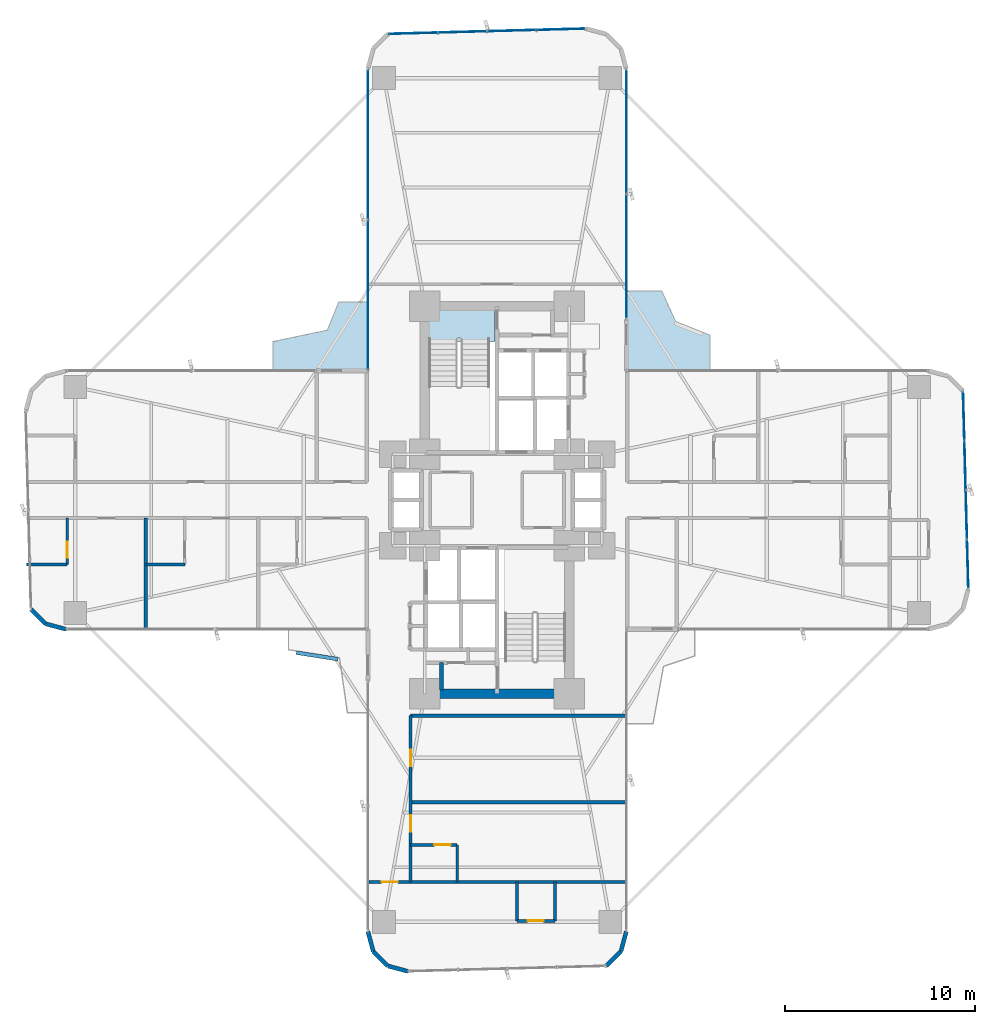
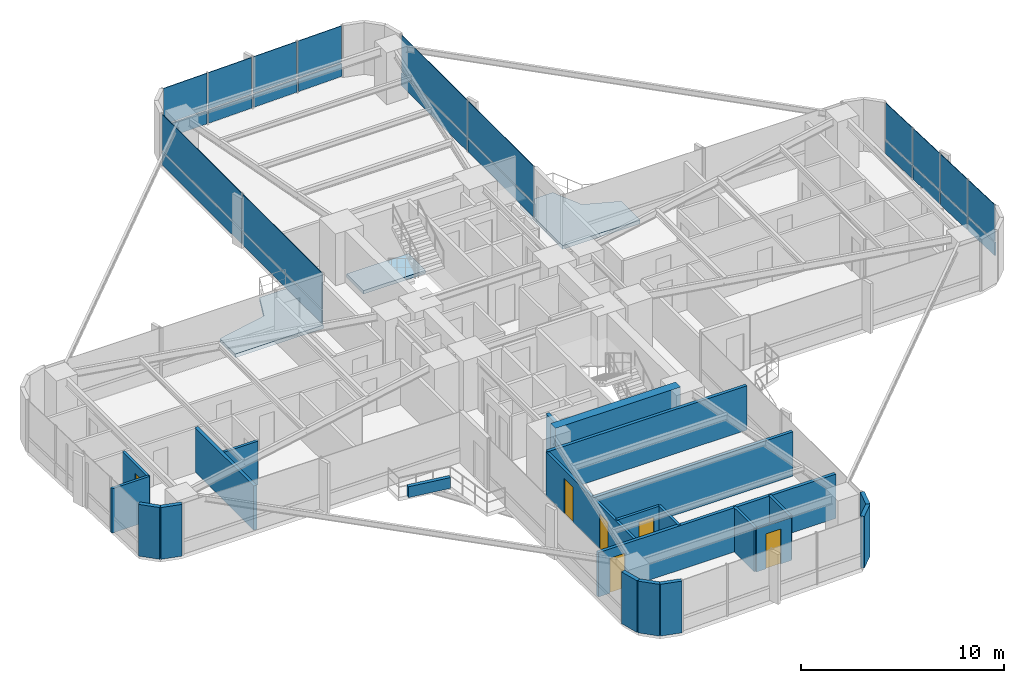
# One storey, part 21 of 25: 24 plates, 23 walls, 6 doors, 3 slabs, 6 openings, 4 elements without a shape of their own.
"""IFC4 building model written with IfcOpenShell, lengths in metres."""

from ifc_helpers import new_model, si_unit, direction, frame, frame_2d, origin, origin_2d, place, context, subcontext, project, spatial, polyline, rectangle, outline, extrude, source, transform, mapped, material, layer, layer_set, type_object, element, fill, aggregate, save


model = new_model("IFC4")

# Units and contexts
model_context = context("Model", 3, precision=1e-05, world=origin(), true_north=direction((0.0, 1.0)))
body_context = subcontext(model_context, "Body", "Model", "MODEL_VIEW")
ifc_project = project(units=[si_unit("LENGTHUNIT", "METRE"), si_unit("AREAUNIT", "SQUARE_METRE"), si_unit("VOLUMEUNIT", "CUBIC_METRE"), si_unit("PLANEANGLEUNIT", "RADIAN"), si_unit("MASSUNIT", "GRAM", prefix="KILO")], contexts=[model_context])

# Site, building, storey
site_placement = place(None, origin())
site = spatial("IfcSite", under=ifc_project, at=site_placement, CompositionType="ELEMENT")
building_placement = place(site_placement, origin())
building = spatial("IfcBuilding", under=site, at=building_placement, Name="Sahyath Konkavel Grand Hotel", CompositionType="ELEMENT")
storey_placement = place(building_placement, frame((0.0, 0.0, 57.75)))
storey = spatial("IfcBuildingStorey", under=building, at=storey_placement, Name="L15", CompositionType="ELEMENT", Elevation=57.75)

# Slabs
ifc_material_1 = material(Name="Concrete C40/50", Category="concrete")
ifc_layer_1 = layer(ifc_material_1, 0.219970703125)
ifc_layer_set_1 = layer_set([ifc_layer_1], Name="Concrete C40/50")
slab_type_1 = type_object("IfcSlabType", Name="SLB-BALCONY-220", PredefinedType="FLOOR", material=ifc_layer_set_1)
slab_1_placement = place(storey_placement, frame((0.0, 0.0, -0.219970703125)))
element("IfcSlab", 1, at=slab_1_placement, inside=storey, type_object=slab_type_1, Name="L15 Winter-Garden Balcony NE", PredefinedType="FLOOR", context=body_context, shape_type="SweptSolid", body=[
    extrude(outline(polyline([(6.800048828125, 6.800048828125), (11.2099609375, 6.800048828125), (11.2099609375, 8.6669921875), (9.39306640625, 9.39306640625), (8.6669921875, 10.989990234375), (6.800048828125, 10.989990234375), (6.800048828125, 6.800048828125)])), origin(), (0.0, 0.0, 1.0), 0.219970703125),
])
slab_2_placement = place(storey_placement, frame((0.0, 0.0, -0.219970703125)))
element("IfcSlab", 2, at=slab_2_placement, inside=storey, type_object=slab_type_1, Name="L15 Winter-Garden Balcony NW", PredefinedType="FLOOR", context=body_context, shape_type="SweptSolid", body=[
    extrude(outline(polyline([(-6.800048828125, 6.800048828125), (-6.800048828125, 10.408935546875), (-8.337890625, 10.408935546875), (-8.93603515625, 8.93603515625), (-11.791015625, 8.337890625), (-11.791015625, 6.800048828125), (-6.800048828125, 6.800048828125)])), origin(), (0.0, 0.0, 1.0), 0.219970703125),
])
ifc_layer_2 = layer(ifc_material_1, 0.199951171875)
ifc_layer_set_2 = layer_set([ifc_layer_2], Name="Concrete C40/50")
slab_type_2 = type_object("IfcSlabType", Name="SLB-STAIR-LND", PredefinedType="LANDING", material=ifc_layer_set_2)
slab_3_placement = place(storey_placement, frame((0.0, 0.0, -0.199951171875)))
element("IfcSlab", 3, at=slab_3_placement, inside=storey, type_object=slab_type_2, Name="L15 Stair ST-1 Floor Landing Slab", PredefinedType="LANDING", context=body_context, shape_type="SweptSolid", body=[
    extrude(outline(polyline([(-3.6201171875, 8.35009765625), (-0.10009765625, 8.35009765625), (-0.10009765625, 10.02001953125), (-3.6201171875, 10.02001953125), (-3.6201171875, 8.35009765625)])), origin(), (0.0, 0.0, 1.0), 0.199951171875),
])

# Curtain wall, plates
ifc_material_2 = material(Name="Anodised Bronze Aluminium & Low-E Glazing", Category="aluminium")
curtain_wall_type = type_object("IfcCurtainWallType", Name="CW-ZONE1", PredefinedType="NOTDEFINED", material=ifc_material_2)
curtain_wall_1_placement = place(storey_placement, origin())
curtain_wall_1 = element("IfcCurtainWall", 4, at=curtain_wall_1_placement, inside=storey, type_object=curtain_wall_type, Name="L15 Unitised Curtain Wall F15", PredefinedType="NOTDEFINED")
ifc_material_3 = material(Name="Warm Buff Sandstone Cladding", Category="masonry")
ifc_layer_3 = layer(ifc_material_3, 0.074951171875)
ifc_layer_set_3 = layer_set([ifc_layer_3], Name="Warm Buff Sandstone Cladding")
plate_type_1 = type_object("IfcPlateType", Name="PNL-SPANDREL-STONE", PredefinedType="SHEET", material=ifc_layer_set_3)
shared_shape_1 = source(origin(), body_context, "Body", "SweptSolid", [
    extrude(rectangle(XDim=7.830078125, YDim=0.074951171875, at=origin_2d()), origin(), (0.0, 0.0, 1.0), 0.77001953125),
])
plate_1_placement = place(storey_placement, frame((-6.800048828125, 18.705078125, 0.0400390625), z_axis=(0.0, 0.0, 1.0), x_axis=(0.0, -1.0, 0.0)))
plate_1 = element("IfcPlate", 5, at=plate_1_placement, type_object=plate_type_1, Name="L15 Sandstone Relief Spandrel Panel F15-0", PredefinedType="SHEET", context=body_context, shape_type="MappedRepresentation", body=[
    mapped(shared_shape_1, transform((0.0, 0.0, 0.0), scale=1.0)),
])
plate_2_placement = place(storey_placement, frame((-6.800048828125, 10.794921875, 0.0400390625), z_axis=(0.0, 0.0, 1.0), x_axis=(0.0, -1.0, 0.0)))
plate_2 = element("IfcPlate", 6, at=plate_2_placement, type_object=plate_type_1, Name="L15 Sandstone Relief Spandrel Panel F15-1", PredefinedType="SHEET", context=body_context, shape_type="MappedRepresentation", body=[
    mapped(shared_shape_1, transform((0.0, 0.0, 0.0), scale=1.0)),
])
ifc_material_4 = material(Name="Low-E Solar Control Double Glazing", Category="glass")
ifc_layer_4 = layer(ifc_material_4, 0.035888671875)
ifc_layer_set_4 = layer_set([ifc_layer_4], Name="Low-E Solar Control Double Glazing")
plate_type_2 = type_object("IfcPlateType", Name="PNL-VISION-LOWE", PredefinedType="CURTAIN_PANEL", material=ifc_layer_set_4)
shared_shape_2 = source(origin(), body_context, "Body", "SweptSolid", [
    extrude(rectangle(XDim=7.830078125, YDim=0.035888671875, at=origin_2d()), origin(), (0.0, 0.0, 1.0), 2.179931640625),
])
plate_3_placement = place(storey_placement, frame((-6.800048828125, 18.705078125, 0.89013671875), z_axis=(0.0, 0.0, 1.0), x_axis=(0.0, -1.0, 0.0)))
plate_3 = element("IfcPlate", 7, at=plate_3_placement, type_object=plate_type_2, Name="L15 Low-E Vision Glazing Panel F15-0", PredefinedType="CURTAIN_PANEL", context=body_context, shape_type="MappedRepresentation", body=[
    mapped(shared_shape_2, transform((0.0, 0.0, 0.0), scale=1.0)),
])
plate_4_placement = place(storey_placement, frame((-6.800048828125, 10.794921875, 0.89013671875), z_axis=(0.0, 0.0, 1.0), x_axis=(0.0, -1.0, 0.0)))
plate_4 = element("IfcPlate", 8, at=plate_4_placement, type_object=plate_type_2, Name="L15 Low-E Vision Glazing Panel F15-1", PredefinedType="CURTAIN_PANEL", context=body_context, shape_type="MappedRepresentation", body=[
    mapped(shared_shape_2, transform((0.0, 0.0, 0.0), scale=1.0)),
])
aggregate(curtain_wall_1, [plate_1, plate_3, plate_2, plate_4])

curtain_wall_2_placement = place(storey_placement, origin())
curtain_wall_2 = element("IfcCurtainWall", 9, at=curtain_wall_2_placement, inside=storey, type_object=curtain_wall_type, Name="L15 Unitised Curtain Wall F4", PredefinedType="NOTDEFINED")
shared_shape_3 = source(origin(), body_context, "Body", "SweptSolid", [
    extrude(rectangle(XDim=2.513427734375, YDim=0.074951171875, at=origin_2d()), origin(), (0.0, 0.0, 1.0), 0.77001953125),
])
plate_5_placement = place(storey_placement, frame((24.763916015625, -3.36376953125, 0.0400390625), z_axis=(0.0, 0.0, 1.0), x_axis=(-0.026909728301, 0.999637867691, 0.0)))
plate_5 = element("IfcPlate", 10, at=plate_5_placement, type_object=plate_type_1, Name="L15 Sandstone Relief Spandrel Panel F4-0", PredefinedType="SHEET", context=body_context, shape_type="MappedRepresentation", body=[
    mapped(shared_shape_3, transform((0.0, 0.0, 0.0), scale=1.0)),
])
plate_6_placement = place(storey_placement, frame((24.694091796875, -0.771240234375, 0.0400390625), z_axis=(0.0, 0.0, 1.0), x_axis=(-0.026909728301, 0.999637867691, 0.0)))
plate_6 = element("IfcPlate", 11, at=plate_6_placement, type_object=plate_type_1, Name="L15 Sandstone Relief Spandrel Panel F4-1", PredefinedType="SHEET", context=body_context, shape_type="MappedRepresentation", body=[
    mapped(shared_shape_3, transform((0.0, 0.0, 0.0), scale=1.0)),
])
plate_7_placement = place(storey_placement, frame((24.62451171875, 1.8212890625, 0.0400390625), z_axis=(0.0, 0.0, 1.0), x_axis=(-0.026909728301, 0.999637867691, 0.0)))
plate_7 = element("IfcPlate", 12, at=plate_7_placement, type_object=plate_type_1, Name="L15 Sandstone Relief Spandrel Panel F4-2", PredefinedType="SHEET", context=body_context, shape_type="MappedRepresentation", body=[
    mapped(shared_shape_3, transform((0.0, 0.0, 0.0), scale=1.0)),
])
plate_8_placement = place(storey_placement, frame((24.5546875, 4.413818359375, 0.0400390625), z_axis=(0.0, 0.0, 1.0), x_axis=(-0.026909728301, 0.999637867691, 0.0)))
plate_8 = element("IfcPlate", 13, at=plate_8_placement, type_object=plate_type_1, Name="L15 Sandstone Relief Spandrel Panel F4-3", PredefinedType="SHEET", context=body_context, shape_type="MappedRepresentation", body=[
    mapped(shared_shape_3, transform((0.0, 0.0, 0.0), scale=1.0)),
])

curtain_wall_3_placement = place(storey_placement, origin())
curtain_wall_3 = element("IfcCurtainWall", 14, at=curtain_wall_3_placement, inside=storey, type_object=curtain_wall_type, Name="L15 Unitised Curtain Wall F12", PredefinedType="NOTDEFINED")
plate_9_placement = place(storey_placement, frame((3.36376953125, 24.763916015625, 0.0400390625), z_axis=(0.0, 0.0, 1.0), x_axis=(-0.999637867691, -0.026909728301, 0.0)))
plate_9 = element("IfcPlate", 15, at=plate_9_placement, type_object=plate_type_1, Name="L15 Sandstone Relief Spandrel Panel F12-0", PredefinedType="SHEET", context=body_context, shape_type="MappedRepresentation", body=[
    mapped(shared_shape_3, transform((0.0, 0.0, 0.0), scale=1.0)),
])
plate_10_placement = place(storey_placement, frame((0.771240234375, 24.694091796875, 0.0400390625), z_axis=(0.0, 0.0, 1.0), x_axis=(-0.999637867691, -0.026909728301, 0.0)))
plate_10 = element("IfcPlate", 16, at=plate_10_placement, type_object=plate_type_1, Name="L15 Sandstone Relief Spandrel Panel F12-1", PredefinedType="SHEET", context=body_context, shape_type="MappedRepresentation", body=[
    mapped(shared_shape_3, transform((0.0, 0.0, 0.0), scale=1.0)),
])
plate_11_placement = place(storey_placement, frame((-1.8212890625, 24.62451171875, 0.0400390625), z_axis=(0.0, 0.0, 1.0), x_axis=(-0.999637867691, -0.026909728301, 0.0)))
plate_11 = element("IfcPlate", 17, at=plate_11_placement, type_object=plate_type_1, Name="L15 Sandstone Relief Spandrel Panel F12-2", PredefinedType="SHEET", context=body_context, shape_type="MappedRepresentation", body=[
    mapped(shared_shape_3, transform((0.0, 0.0, 0.0), scale=1.0)),
])
plate_12_placement = place(storey_placement, frame((-4.413818359375, 24.5546875, 0.0400390625), z_axis=(0.0, 0.0, 1.0), x_axis=(-0.999637867691, -0.026909728301, 0.0)))
plate_12 = element("IfcPlate", 18, at=plate_12_placement, type_object=plate_type_1, Name="L15 Sandstone Relief Spandrel Panel F12-3", PredefinedType="SHEET", context=body_context, shape_type="MappedRepresentation", body=[
    mapped(shared_shape_3, transform((0.0, 0.0, 0.0), scale=1.0)),
])

# Plate
shared_shape_4 = source(origin(), body_context, "Body", "SweptSolid", [
    extrude(rectangle(XDim=2.513427734375, YDim=0.035888671875, at=origin_2d()), origin(), (0.0, 0.0, 1.0), 2.179931640625),
])
plate_13_placement = place(storey_placement, frame((24.763916015625, -3.36376953125, 0.89013671875), z_axis=(0.0, 0.0, 1.0), x_axis=(-0.026909728301, 0.999637867691, 0.0)))
plate_13 = element("IfcPlate", 19, at=plate_13_placement, type_object=plate_type_2, Name="L15 Low-E Vision Glazing Panel F4-0", PredefinedType="CURTAIN_PANEL", context=body_context, shape_type="MappedRepresentation", body=[
    mapped(shared_shape_4, transform((0.0, 0.0, 0.0), scale=1.0)),
])

plate_14_placement = place(storey_placement, frame((24.694091796875, -0.771240234375, 0.89013671875), z_axis=(0.0, 0.0, 1.0), x_axis=(-0.026909728301, 0.999637867691, 0.0)))
plate_14 = element("IfcPlate", 20, at=plate_14_placement, type_object=plate_type_2, Name="L15 Low-E Vision Glazing Panel F4-1", PredefinedType="CURTAIN_PANEL", context=body_context, shape_type="MappedRepresentation", body=[
    mapped(shared_shape_4, transform((0.0, 0.0, 0.0), scale=1.0)),
])

plate_15_placement = place(storey_placement, frame((24.62451171875, 1.8212890625, 0.89013671875), z_axis=(0.0, 0.0, 1.0), x_axis=(-0.026909728301, 0.999637867691, 0.0)))
plate_15 = element("IfcPlate", 21, at=plate_15_placement, type_object=plate_type_2, Name="L15 Low-E Vision Glazing Panel F4-2", PredefinedType="CURTAIN_PANEL", context=body_context, shape_type="MappedRepresentation", body=[
    mapped(shared_shape_4, transform((0.0, 0.0, 0.0), scale=1.0)),
])

plate_16_placement = place(storey_placement, frame((24.5546875, 4.413818359375, 0.89013671875), z_axis=(0.0, 0.0, 1.0), x_axis=(-0.026909728301, 0.999637867691, 0.0)))
plate_16 = element("IfcPlate", 22, at=plate_16_placement, type_object=plate_type_2, Name="L15 Low-E Vision Glazing Panel F4-3", PredefinedType="CURTAIN_PANEL", context=body_context, shape_type="MappedRepresentation", body=[
    mapped(shared_shape_4, transform((0.0, 0.0, 0.0), scale=1.0)),
])

aggregate(curtain_wall_2, [plate_5, plate_13, plate_6, plate_14, plate_7, plate_15, plate_8, plate_16])

plate_17_placement = place(storey_placement, frame((3.36376953125, 24.763916015625, 0.89013671875), z_axis=(0.0, 0.0, 1.0), x_axis=(-0.999637867691, -0.026909728301, 0.0)))
plate_17 = element("IfcPlate", 23, at=plate_17_placement, type_object=plate_type_2, Name="L15 Low-E Vision Glazing Panel F12-0", PredefinedType="CURTAIN_PANEL", context=body_context, shape_type="MappedRepresentation", body=[
    mapped(shared_shape_4, transform((0.0, 0.0, 0.0), scale=1.0)),
])

plate_18_placement = place(storey_placement, frame((0.771240234375, 24.694091796875, 0.89013671875), z_axis=(0.0, 0.0, 1.0), x_axis=(-0.999637867691, -0.026909728301, 0.0)))
plate_18 = element("IfcPlate", 24, at=plate_18_placement, type_object=plate_type_2, Name="L15 Low-E Vision Glazing Panel F12-1", PredefinedType="CURTAIN_PANEL", context=body_context, shape_type="MappedRepresentation", body=[
    mapped(shared_shape_4, transform((0.0, 0.0, 0.0), scale=1.0)),
])

plate_19_placement = place(storey_placement, frame((-1.8212890625, 24.62451171875, 0.89013671875), z_axis=(0.0, 0.0, 1.0), x_axis=(-0.999637867691, -0.026909728301, 0.0)))
plate_19 = element("IfcPlate", 25, at=plate_19_placement, type_object=plate_type_2, Name="L15 Low-E Vision Glazing Panel F12-2", PredefinedType="CURTAIN_PANEL", context=body_context, shape_type="MappedRepresentation", body=[
    mapped(shared_shape_4, transform((0.0, 0.0, 0.0), scale=1.0)),
])

plate_20_placement = place(storey_placement, frame((-4.413818359375, 24.5546875, 0.89013671875), z_axis=(0.0, 0.0, 1.0), x_axis=(-0.999637867691, -0.026909728301, 0.0)))
plate_20 = element("IfcPlate", 26, at=plate_20_placement, type_object=plate_type_2, Name="L15 Low-E Vision Glazing Panel F12-3", PredefinedType="CURTAIN_PANEL", context=body_context, shape_type="MappedRepresentation", body=[
    mapped(shared_shape_4, transform((0.0, 0.0, 0.0), scale=1.0)),
])

aggregate(curtain_wall_3, [plate_9, plate_17, plate_10, plate_18, plate_11, plate_19, plate_12, plate_20])

# Curtain wall, plates
curtain_wall_4_placement = place(storey_placement, origin())
curtain_wall_4 = element("IfcCurtainWall", 27, at=curtain_wall_4_placement, inside=storey, type_object=curtain_wall_type, Name="L15 Unitised Curtain Wall F8", PredefinedType="NOTDEFINED")
shared_shape_5 = source(origin(), body_context, "Body", "SweptSolid", [
    extrude(rectangle(XDim=6.47998046875, YDim=0.074951171875, at=origin_2d()), origin(), (0.0, 0.0, 1.0), 0.77001953125),
])
plate_21_placement = place(storey_placement, frame((6.800048828125, 12.820068359375, 0.0400390625), z_axis=(0.0, 0.0, 1.0), x_axis=(0.0, 1.0, 0.0)))
plate_21 = element("IfcPlate", 28, at=plate_21_placement, type_object=plate_type_1, Name="L15 Sandstone Relief Spandrel Panel F8-0", PredefinedType="SHEET", context=body_context, shape_type="MappedRepresentation", body=[
    mapped(shared_shape_5, transform((0.0, 0.0, 0.0), scale=1.0)),
])
plate_22_placement = place(storey_placement, frame((6.800048828125, 19.3798828125, 0.0400390625), z_axis=(0.0, 0.0, 1.0), x_axis=(0.0, 1.0, 0.0)))
plate_22 = element("IfcPlate", 29, at=plate_22_placement, type_object=plate_type_1, Name="L15 Sandstone Relief Spandrel Panel F8-1", PredefinedType="SHEET", context=body_context, shape_type="MappedRepresentation", body=[
    mapped(shared_shape_5, transform((0.0, 0.0, 0.0), scale=1.0)),
])
shared_shape_6 = source(origin(), body_context, "Body", "SweptSolid", [
    extrude(rectangle(XDim=6.47998046875, YDim=0.035888671875, at=origin_2d()), origin(), (0.0, 0.0, 1.0), 2.179931640625),
])
plate_23_placement = place(storey_placement, frame((6.800048828125, 12.820068359375, 0.89013671875), z_axis=(0.0, 0.0, 1.0), x_axis=(0.0, 1.0, 0.0)))
plate_23 = element("IfcPlate", 30, at=plate_23_placement, type_object=plate_type_2, Name="L15 Low-E Vision Glazing Panel F8-0", PredefinedType="CURTAIN_PANEL", context=body_context, shape_type="MappedRepresentation", body=[
    mapped(shared_shape_6, transform((0.0, 0.0, 0.0), scale=1.0)),
])
plate_24_placement = place(storey_placement, frame((6.800048828125, 19.3798828125, 0.89013671875), z_axis=(0.0, 0.0, 1.0), x_axis=(0.0, 1.0, 0.0)))
plate_24 = element("IfcPlate", 31, at=plate_24_placement, type_object=plate_type_2, Name="L15 Low-E Vision Glazing Panel F8-1", PredefinedType="CURTAIN_PANEL", context=body_context, shape_type="MappedRepresentation", body=[
    mapped(shared_shape_6, transform((0.0, 0.0, 0.0), scale=1.0)),
])
aggregate(curtain_wall_4, [plate_21, plate_23, plate_22, plate_24])

# Walls
ifc_material_5 = material(Name="Concrete C70/85", Category="concrete")
ifc_layer_5 = layer(ifc_material_5, 0.5)
ifc_layer_set_5 = layer_set([ifc_layer_5], Name="Concrete C70/85")
wall_type_1 = type_object("IfcWallType", Name="CWALL-500", PredefinedType="SHEAR", material=ifc_layer_set_5)
wall_1_placement = place(storey_placement, frame((-3.550048828125, -10.199951171875, 0.0), z_axis=(0.0, 0.0, 1.0), x_axis=(1.0, 0.0, 0.0)))
element("IfcWall", 32, at=wall_1_placement, inside=storey, type_object=wall_type_1, Name="L15 South Core Shear Wall S", PredefinedType="SHEAR", context=body_context, shape_type="SweptSolid", body=[
    extrude(rectangle(XDim=7.10009765625, YDim=0.5, at=frame_2d((3.550048828125, 0.0))), origin(), (0.0, 0.0, 1.0), 3.110107421875),
])
ifc_material_6 = material(Name="Warm Buff Sandstone Insulated Concrete C40/50", Category="masonry")
ifc_layer_6 = layer(ifc_material_6, 0.219970703125)
ifc_layer_set_6 = layer_set([ifc_layer_6], Name="Warm Buff Sandstone Insulated Concrete C40/50")
wall_type_2 = type_object("IfcWallType", Name="WLL-BALC-THRESH", PredefinedType="STANDARD", material=ifc_layer_set_6)
for number, where, z_axis, x_axis, name in (
    (33, (-24.518798828125, -5.75, 0.0), (0.0, 0.0, 1.0), (0.707106781187, -0.707106781187, 0.0), "L15 Rounded Corner Sandstone Pier 21"),
    (34, (-23.75, -6.518798828125, 0.0), (0.0, 0.0, 1.0), (0.965951058412, -0.25872485917, 0.0), "L15 Rounded Corner Sandstone Pier 22"),
    (35, (-6.800048828125, -22.699951171875, 0.0), (0.0, 0.0, 1.0), (0.25872485917, -0.965951058412, 0.0), "L15 Rounded Corner Sandstone Pier 25"),
    (36, (-6.518798828125, -23.75, 0.0), (0.0, 0.0, 1.0), (0.707106781187, -0.707106781187, 0.0), "L15 Rounded Corner Sandstone Pier 26"),
    (37, (-5.75, -24.518798828125, 0.0), (0.0, 0.0, 1.0), (0.965951058412, -0.25872485917, 0.0), "L15 Rounded Corner Sandstone Pier 27"),
    (38, (5.75, -24.518798828125, 0.0), (0.0, 0.0, 1.0), (0.707106781187, 0.707106781187, 0.0), "L15 Rounded Corner Sandstone Pier 29"),
    (39, (6.518798828125, -23.75, 0.0), (0.0, 0.0, 1.0), (0.25872485917, 0.965951058412, 0.0), "L15 Rounded Corner Sandstone Pier 30"),
):
    element("IfcWall", number, at=place(storey_placement, frame(where, z_axis=z_axis, x_axis=x_axis)), inside=storey, type_object=wall_type_2, Name=name, PredefinedType="STANDARD", context=body_context, shape_type="SweptSolid", body=[
        extrude(rectangle(XDim=1.087158203125, YDim=0.219970703125, at=frame_2d((0.54345703125, 0.0))), origin(), (0.0, 0.0, 1.0), 3.110107421875),
    ])
ifc_layer_7 = layer(ifc_material_1, 0.199951171875)
ifc_layer_set_7 = layer_set([ifc_layer_7], Name="Concrete C40/50")
wall_type_3 = type_object("IfcWallType", Name="WLL-CORE-200", PredefinedType="SOLIDWALL", material=ifc_layer_set_7)
wall_2_placement = place(storey_placement, frame((-2.919921875, -10.0, 0.0), z_axis=(0.0, 0.0, 1.0), x_axis=(0.0, 1.0, 0.0)))
element("IfcWall", 40, at=wall_2_placement, inside=storey, type_object=wall_type_3, Name="L15 Partition SFF-W2", PredefinedType="SOLIDWALL", context=body_context, shape_type="SweptSolid", body=[
    extrude(rectangle(XDim=1.43994140625, YDim=0.199951171875, at=frame_2d((0.719970703125, 0.0))), origin(), (0.0, 0.0, 1.0), 2.659912109375),
])
ifc_material_7 = material(Name="Twin-Stud Acoustic Gypsum Plasterboard Partition")
ifc_layer_8 = layer(ifc_material_7, 0.179931640625)
ifc_layer_set_8 = layer_set([ifc_layer_8], Name="Twin-Stud Acoustic Gypsum Plasterboard Partition")
wall_type_4 = type_object("IfcWallType", Name="WLL-DEMISE-180", PredefinedType="PARTITIONING", material=ifc_layer_set_8)
wall_3_placement = place(storey_placement, frame((-18.485107421875, -0.949951171875, 0.0), z_axis=(0.0, 0.0, 1.0), x_axis=(0.0, -1.0, 0.0)))
element("IfcWall", 41, at=wall_3_placement, inside=storey, type_object=wall_type_4, Name="L15 Partition W-W2L-DEM", PredefinedType="PARTITIONING", context=body_context, shape_type="SweptSolid", body=[
    extrude(rectangle(XDim=5.800048828125, YDim=0.179931640625, at=frame_2d((2.89990234375, 0.0))), origin(), (0.0, 0.0, 1.0), 2.659912109375),
])
for number, where, z_axis, x_axis, name in (
    (42, (-4.550048828125, -11.35009765625, 0.0), (0.0, 0.0, 1.0), (1.0, 0.0, 0.0), "L15 Partition S-G6I"),
    (43, (-4.550048828125, -15.89990234375, 0.0), (0.0, 0.0, 1.0), (1.0, 0.0, 0.0), "L15 Partition S-SSL6-DEM"),
):
    element("IfcWall", number, at=place(storey_placement, frame(where, z_axis=z_axis, x_axis=x_axis)), inside=storey, type_object=wall_type_4, Name=name, PredefinedType="PARTITIONING", context=body_context, shape_type="SweptSolid", body=[
        extrude(rectangle(XDim=11.300048828125, YDim=0.179931640625, at=frame_2d((5.64990234375, 0.0))), origin(), (0.0, 0.0, 1.0), 2.659912109375),
    ])

# Wall, opening, door
wall_4_placement = place(storey_placement, frame((-6.75, -20.10009765625, 0.0), z_axis=(0.0, 0.0, 1.0), x_axis=(1.0, 0.0, 0.0)))
wall_4 = element("IfcWall", 44, at=wall_4_placement, inside=storey, type_object=wall_type_4, Name="L15 Partition S-STIP-END", PredefinedType="PARTITIONING", context=body_context, shape_type="SweptSolid", body=[
    extrude(rectangle(XDim=13.5, YDim=0.179931640625, at=frame_2d((6.75, 0.0))), origin(), (0.0, 0.0, 1.0), 2.659912109375),
])
opening_1_placement = place(wall_4_placement, frame((0.675048828125, 0.0, 0.0)))
opening_1 = element("IfcOpeningElement", 45, at=opening_1_placement, cuts=wall_4, Name="Opening D-F06D", PredefinedType="OPENING", context=body_context, shape_type="SweptSolid", body=[
    extrude(rectangle(XDim=0.85009765625, YDim=2.10009765625, at=frame_2d((0.425048828125, 1.050048828125))), frame((0.0, 0.10009765625, 0.0), z_axis=(0.0, -1.0, 0.0), x_axis=(1.0, 0.0, 0.0)), (0.0, 0.0, 1.0), 0.199951171875),
])
ifc_material_8 = material(Name="Fire-Rated Shaft Access Door")
door_type_1 = type_object("IfcDoorType", Name="DR-FD60-850", OperationType="NOTDEFINED", PredefinedType="DOOR", material=ifc_material_8)
shared_shape_7 = source(origin(), body_context, "Body", "SweptSolid", [
    extrude(rectangle(XDim=0.85009765625, YDim=0.050048828125, at=origin_2d()), origin(), (0.0, 0.0, 1.0), 2.10009765625),
])
door_1_placement = place(opening_1_placement, frame((0.425048828125, 0.0, 0.0)))
door_1 = element("IfcDoor", 46, at=door_1_placement, inside=storey, type_object=door_type_1, Name="L15 Door S-STIP-ED", OperationType="SINGLE_SWING_RIGHT", OverallHeight=2.10009765625, OverallWidth=0.85009765625, PredefinedType="DOOR", context=body_context, shape_type="MappedRepresentation", body=[
    mapped(shared_shape_7, transform((0.0, 0.0, 0.0), scale=1.0)),
])
fill(opening_1, door_1)

# Wall
ifc_material_9 = material(Name="Fire-Rated Gypsum Plasterboard Partition")
ifc_layer_9 = layer(ifc_material_9, 0.14990234375)
ifc_layer_set_9 = layer_set([ifc_layer_9], Name="Fire-Rated Gypsum Plasterboard Partition")
wall_type_5 = type_object("IfcWallType", Name="WLL-PART-150", PredefinedType="PARTITIONING", material=ifc_layer_set_9)
wall_5_placement = place(storey_placement, frame((-16.43505859375, -3.39990234375, 0.0), z_axis=(0.0, 0.0, 1.0), x_axis=(-1.0, 0.0, 0.0)))
element("IfcWall", 47, at=wall_5_placement, inside=storey, type_object=wall_type_5, Name="L15 Partition W-W2L-BF", PredefinedType="PARTITIONING", context=body_context, shape_type="SweptSolid", body=[
    extrude(rectangle(XDim=2.050048828125, YDim=0.14990234375, at=frame_2d((1.02490234375, 0.0))), origin(), (0.0, 0.0, 1.0), 2.6298828125),
])

# Wall, opening, door
wall_6_placement = place(storey_placement, frame((-22.6201171875, -0.949951171875, 0.0), z_axis=(0.0, 0.0, 1.0), x_axis=(0.0, -1.0, 0.0)))
wall_6 = element("IfcWall", 48, at=wall_6_placement, inside=storey, type_object=wall_type_5, Name="L15 Partition W-W3L-BS", PredefinedType="PARTITIONING", context=body_context, shape_type="SweptSolid", body=[
    extrude(rectangle(XDim=2.449951171875, YDim=0.14990234375, at=frame_2d((1.22509765625, 0.0))), origin(), (0.0, 0.0, 1.0), 2.659912109375),
])
opening_2_placement = place(wall_6_placement, frame((1.25, 0.0, 0.0)))
opening_2 = element("IfcOpeningElement", 49, at=opening_2_placement, cuts=wall_6, Name="Opening D-BT85", PredefinedType="OPENING", context=body_context, shape_type="SweptSolid", body=[
    extrude(rectangle(XDim=0.85009765625, YDim=2.10009765625, at=frame_2d((0.425048828125, 1.050048828125))), frame((0.0, 0.0849609375, 0.0), z_axis=(0.0, -1.0, 0.0), x_axis=(1.0, 0.0, 0.0)), (0.0, 0.0, 1.0), 0.169921875),
])
ifc_material_10 = material(Name="Moisture-Resistant Teak Bathroom Door")
door_type_2 = type_object("IfcDoorType", Name="DR-BATH-850", OperationType="NOTDEFINED", PredefinedType="DOOR", material=ifc_material_10)
door_2_placement = place(opening_2_placement, frame((0.425048828125, 0.0, 0.0)))
door_2 = element("IfcDoor", 50, at=door_2_placement, inside=storey, type_object=door_type_2, Name="L15 Door W-W3L-BD", OperationType="SINGLE_SWING_LEFT", OverallHeight=2.10009765625, OverallWidth=0.85009765625, PredefinedType="DOOR", context=body_context, shape_type="MappedRepresentation", body=[
    mapped(shared_shape_7, transform((0.0, 0.0, 0.0), scale=1.0)),
])
fill(opening_2, door_2)

# Wall
wall_7_placement = place(storey_placement, frame((-22.6201171875, -3.39990234375, 0.0), z_axis=(0.0, 0.0, 1.0), x_axis=(-1.0, 0.0, 0.0)))
element("IfcWall", 51, at=wall_7_placement, inside=storey, type_object=wall_type_5, Name="L15 Partition W-W3L-BF", PredefinedType="PARTITIONING", context=body_context, shape_type="SweptSolid", body=[
    extrude(rectangle(XDim=2.1298828125, YDim=0.14990234375, at=frame_2d((1.06494140625, 0.0))), origin(), (0.0, 0.0, 1.0), 2.659912109375),
])

# Wall, openings, doors
wall_8_placement = place(storey_placement, frame((-4.550048828125, -11.35009765625, 0.0), z_axis=(0.0, 0.0, 1.0), x_axis=(0.0, -1.0, 0.0)))
wall_8 = element("IfcWall", 52, at=wall_8_placement, inside=storey, type_object=wall_type_5, Name="L15 Partition S-G6W", PredefinedType="PARTITIONING", context=body_context, shape_type="SweptSolid", body=[
    extrude(rectangle(XDim=8.75, YDim=0.14990234375, at=frame_2d((4.375, 0.0))), origin(), (0.0, 0.0, 1.0), 2.6298828125),
])
opening_3_placement = place(wall_8_placement, frame((1.800048828125, 0.0, 0.0)))
opening_3 = element("IfcOpeningElement", 53, at=opening_3_placement, cuts=wall_8, Name="Opening D-F06D", PredefinedType="OPENING", context=body_context, shape_type="SweptSolid", body=[
    extrude(rectangle(XDim=0.85009765625, YDim=2.10009765625, at=frame_2d((0.425048828125, 1.050048828125))), frame((0.0, 0.0849609375, 0.0), z_axis=(0.0, -1.0, 0.0), x_axis=(1.0, 0.0, 0.0)), (0.0, 0.0, 1.0), 0.169921875),
])
opening_4_placement = place(wall_8_placement, frame((5.25, 0.0, 0.0)))
opening_4 = element("IfcOpeningElement", 54, at=opening_4_placement, cuts=wall_8, Name="Opening D-F06D", PredefinedType="OPENING", context=body_context, shape_type="SweptSolid", body=[
    extrude(rectangle(XDim=0.85009765625, YDim=2.10009765625, at=frame_2d((0.425048828125, 1.050048828125))), frame((0.0, 0.0849609375, 0.0), z_axis=(0.0, -1.0, 0.0), x_axis=(1.0, 0.0, 0.0)), (0.0, 0.0, 1.0), 0.169921875),
])
door_3_placement = place(opening_3_placement, frame((0.425048828125, 0.0, 0.0)))
door_3 = element("IfcDoor", 55, at=door_3_placement, inside=storey, type_object=door_type_1, Name="L15 Door S-SSL6-D", OperationType="SINGLE_SWING_RIGHT", OverallHeight=2.10009765625, OverallWidth=0.85009765625, PredefinedType="DOOR", context=body_context, shape_type="MappedRepresentation", body=[
    mapped(shared_shape_7, transform((0.0, 0.0, 0.0), scale=1.0)),
])
fill(opening_3, door_3)
door_4_placement = place(opening_4_placement, frame((0.425048828125, 0.0, 0.0)))
door_4 = element("IfcDoor", 56, at=door_4_placement, inside=storey, type_object=door_type_1, Name="L15 Door S-SD6-ED", OperationType="SINGLE_SWING_RIGHT", OverallHeight=2.10009765625, OverallWidth=0.85009765625, PredefinedType="DOOR", context=body_context, shape_type="MappedRepresentation", body=[
    mapped(shared_shape_7, transform((0.0, 0.0, 0.0), scale=1.0)),
])
fill(opening_4, door_4)

# Wall, opening, door
wall_9_placement = place(storey_placement, frame((-4.550048828125, -18.14990234375, 0.0), z_axis=(0.0, 0.0, 1.0), x_axis=(1.0, 0.0, 0.0)))
wall_9 = element("IfcWall", 57, at=wall_9_placement, inside=storey, type_object=wall_type_5, Name="L15 Partition S-SD6-BS", PredefinedType="PARTITIONING", context=body_context, shape_type="SweptSolid", body=[
    extrude(rectangle(XDim=2.449951171875, YDim=0.14990234375, at=frame_2d((1.22509765625, 0.0))), origin(), (0.0, 0.0, 1.0), 2.659912109375),
])
opening_5_placement = place(wall_9_placement, frame((1.25, 0.0, 0.0)))
opening_5 = element("IfcOpeningElement", 58, at=opening_5_placement, cuts=wall_9, Name="Opening D-BT85", PredefinedType="OPENING", context=body_context, shape_type="SweptSolid", body=[
    extrude(rectangle(XDim=0.85009765625, YDim=2.10009765625, at=frame_2d((0.425048828125, 1.050048828125))), frame((0.0, 0.0849609375, 0.0), z_axis=(0.0, -1.0, 0.0), x_axis=(1.0, 0.0, 0.0)), (0.0, 0.0, 1.0), 0.169921875),
])
door_5_placement = place(opening_5_placement, frame((0.425048828125, 0.0, 0.0)))
door_5 = element("IfcDoor", 59, at=door_5_placement, inside=storey, type_object=door_type_2, Name="L15 Door S-SD6-BD", OperationType="SINGLE_SWING_LEFT", OverallHeight=2.10009765625, OverallWidth=0.85009765625, PredefinedType="DOOR", context=body_context, shape_type="MappedRepresentation", body=[
    mapped(shared_shape_7, transform((0.0, 0.0, 0.0), scale=1.0)),
])
fill(opening_5, door_5)

# Walls
wall_10_placement = place(storey_placement, frame((-2.10009765625, -18.14990234375, 0.0), z_axis=(0.0, 0.0, 1.0), x_axis=(0.0, -1.0, 0.0)))
element("IfcWall", 60, at=wall_10_placement, inside=storey, type_object=wall_type_5, Name="L15 Partition S-SD6-BF", PredefinedType="PARTITIONING", context=body_context, shape_type="SweptSolid", body=[
    extrude(rectangle(XDim=1.9501953125, YDim=0.14990234375, at=frame_2d((0.97509765625, 0.0))), origin(), (0.0, 0.0, 1.0), 2.659912109375),
])
for number, where, z_axis, x_axis, name in (
    (61, (3.050048828125, -20.10009765625, 0.0), (0.0, 0.0, 1.0), (0.0, -1.0, 0.0), "L15 Partition S-STIP-BN"),
    (62, (1.050048828125, -20.10009765625, 0.0), (0.0, 0.0, 1.0), (0.0, -1.0, 0.0), "L15 Partition S-STIP-BS"),
):
    element("IfcWall", number, at=place(storey_placement, frame(where, z_axis=z_axis, x_axis=x_axis)), inside=storey, type_object=wall_type_5, Name=name, PredefinedType="PARTITIONING", context=body_context, shape_type="SweptSolid", body=[
        extrude(rectangle(XDim=2.0498046875, YDim=0.14990234375, at=frame_2d((1.02490234375, 0.0))), origin(), (0.0, 0.0, 1.0), 2.659912109375),
    ])

# Wall, opening, door
wall_11_placement = place(storey_placement, frame((1.050048828125, -22.14990234375, 0.0), z_axis=(0.0, 0.0, 1.0), x_axis=(1.0, 0.0, 0.0)))
wall_11 = element("IfcWall", 63, at=wall_11_placement, inside=storey, type_object=wall_type_5, Name="L15 Partition S-STIP-BE", PredefinedType="PARTITIONING", context=body_context, shape_type="SweptSolid", body=[
    extrude(rectangle(XDim=2.0, YDim=0.14990234375, at=frame_2d((1.0, 0.0))), origin(), (0.0, 0.0, 1.0), 2.580078125),
])
opening_6_placement = place(wall_11_placement, frame((0.550048828125, 0.0, 0.0)))
opening_6 = element("IfcOpeningElement", 64, at=opening_6_placement, cuts=wall_11, Name="Opening D-BT85", PredefinedType="OPENING", context=body_context, shape_type="SweptSolid", body=[
    extrude(rectangle(XDim=0.85009765625, YDim=2.10009765625, at=frame_2d((0.425048828125, 1.050048828125))), frame((0.0, 0.0849609375, 0.0), z_axis=(0.0, -1.0, 0.0), x_axis=(1.0, 0.0, 0.0)), (0.0, 0.0, 1.0), 0.169921875),
])
door_6_placement = place(opening_6_placement, frame((0.425048828125, 0.0, 0.0)))
door_6 = element("IfcDoor", 65, at=door_6_placement, inside=storey, type_object=door_type_2, Name="L15 Door S-STIP-BD", OperationType="SINGLE_SWING_LEFT", OverallHeight=2.10009765625, OverallWidth=0.85009765625, PredefinedType="DOOR", context=body_context, shape_type="MappedRepresentation", body=[
    mapped(shared_shape_7, transform((0.0, 0.0, 0.0), scale=1.0)),
])
fill(opening_6, door_6)

# Wall
ifc_material_11 = material(Name="Warm Buff Sandstone Planter Wall", Category="masonry")
ifc_layer_10 = layer(ifc_material_11, 0.199951171875)
ifc_layer_set_10 = layer_set([ifc_layer_10], Name="Warm Buff Sandstone Planter Wall")
wall_type_6 = type_object("IfcWallType", Name="WLL-PLANTER-200", PredefinedType="PARAPET", material=ifc_layer_set_10)
wall_12_placement = place(storey_placement, frame((-10.56494140625, -8.031982421875, 0.0), z_axis=(0.0, 0.0, 1.0), x_axis=(0.987843719012, -0.155450271175, 0.0)))
element("IfcWall", 66, at=wall_12_placement, inside=storey, type_object=wall_type_6, Name="L15 Sky-Garden Stone Planter PLANTER SW", PredefinedType="PARAPET", context=body_context, shape_type="SweptSolid", body=[
    extrude(rectangle(XDim=2.22705078125, YDim=0.199951171875, at=frame_2d((1.113525390625, 0.0))), origin(), (0.0, 0.0, 1.0), 0.64990234375),
])

save(model, "model.ifc")
